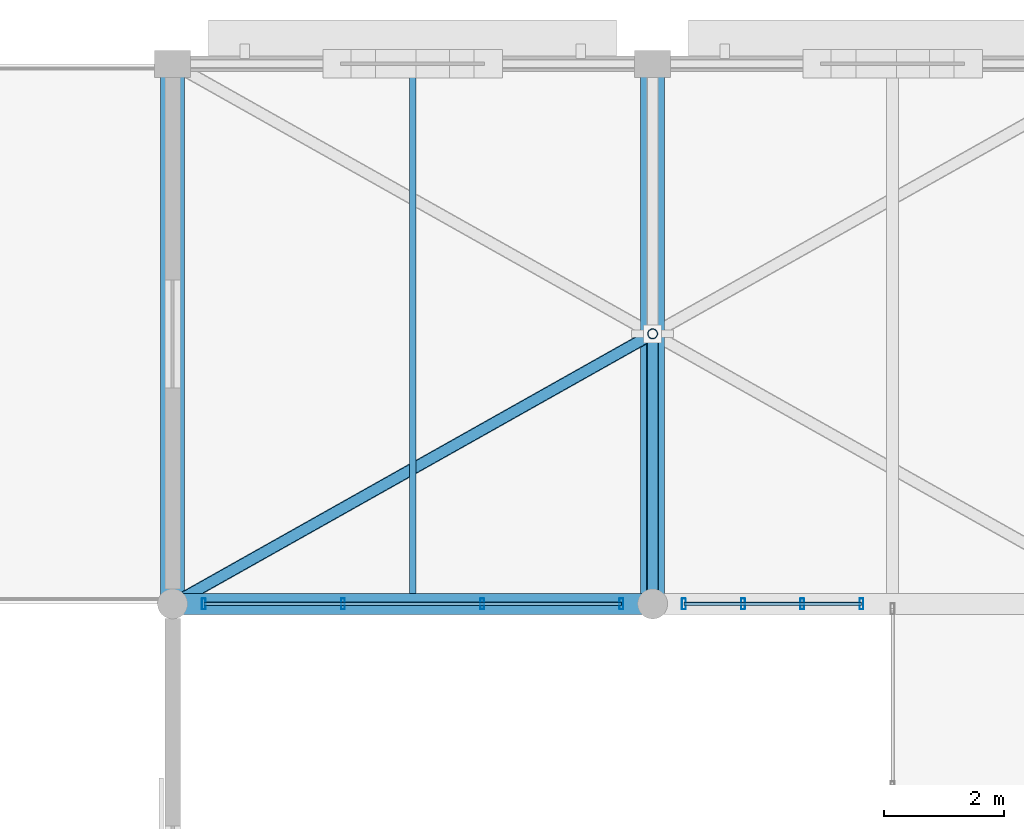
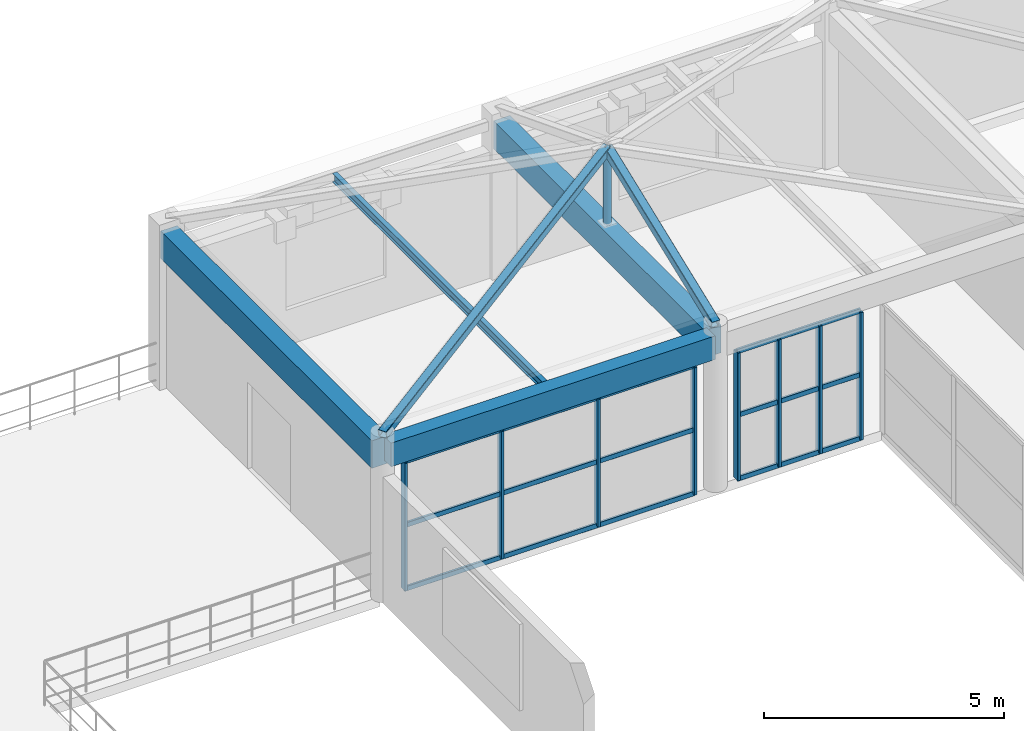
# One storey, part 33 of 63: 17 members, 4 beams, 2 elements without a shape of their own.
"""IFC4 building model written with IfcOpenShell, lengths in metres."""

import ifcopenshell
import ifcopenshell.guid

model = None  # the IFC model being written
_history = None  # IfcOwnerHistory: only IFC2X3 demands one
_inside = {}  # id of a spatial element -> (the spatial element, [elements in it])
_under = {}  # id of a project, library or spatial element -> (it, [spatial elements below it])
_declared = {}  # id of a project -> (the project, [libraries it declares])
_typed = {}  # id of a type object -> (the type object, [elements of that type])
_made_of = {}  # id of a material, layer set ... -> (it, [elements and type objects made of it])


def new_model(schema):
    """Start an empty IFC model of exactly this schema.

    Asked for "IFC4X3", IfcOpenShell would pick the latest addendum, in which some entities
    have other attributes; the version numbers below select the first issue.
    IFC2X3 requires an IfcOwnerHistory on every rooted entity: one is made here for all.
    """
    global model, _history
    if schema == "IFC4X3":
        model = ifcopenshell.file(schema_version=(4, 3, 0, 0))
    else:
        model = ifcopenshell.file(schema=schema)
    _inside.clear()
    _under.clear()
    _declared.clear()
    _typed.clear()
    _made_of.clear()
    _history = None
    if model.schema == "IFC2X3":
        org = make("IfcOrganization", Name="unknown")
        user = make(
            "IfcPersonAndOrganization",
            ThePerson=make("IfcPerson", FamilyName="unknown"),
            TheOrganization=org,
        )
        app = make(
            "IfcApplication",
            ApplicationDeveloper=org,
            Version="unknown",
            ApplicationFullName="unknown",
            ApplicationIdentifier="unknown",
        )
        _history = make(
            "IfcOwnerHistory",
            OwningUser=user,
            OwningApplication=app,
            ChangeAction="ADDED",
            CreationDate=0,
        )
    return model


def make(cls, **values):
    """One entity of the class cls with the attributes given. An attribute that is None is left unset."""
    return model.create_entity(
        cls, **{name: value for name, value in values.items() if value is not None}
    )


def rooted(cls, **values):
    """An entity with a GlobalId (a new one), such as an element, a storey or a relation."""
    return make(cls, GlobalId=ifcopenshell.guid.new(), OwnerHistory=_history, **values)


def si_unit(unit_type, name, prefix=None):
    """IfcSIUnit, for example si_unit("LENGTHUNIT", "METRE", prefix="MILLI")."""
    return make("IfcSIUnit", UnitType=unit_type, Prefix=prefix, Name=name)


def assignment(units):
    """IfcUnitAssignment: the units of a project."""
    return None if units is None else make("IfcUnitAssignment", Units=units)


def point(xyz):
    """IfcCartesianPoint."""
    return None if xyz is None else make("IfcCartesianPoint", Coordinates=xyz)


def direction(xyz):
    """IfcDirection."""
    return None if xyz is None else make("IfcDirection", DirectionRatios=xyz)


def frame(location, z_axis=None, x_axis=None):
    """IfcAxis2Placement3D, a coordinate frame: its origin and axes. An axis left out is left unset."""
    return make(
        "IfcAxis2Placement3D",
        Location=point(location),
        Axis=direction(z_axis),
        RefDirection=direction(x_axis),
    )


def frame_2d(location, x_axis=None):
    """IfcAxis2Placement2D, a coordinate frame in the plane: its origin and x axis."""
    return make(
        "IfcAxis2Placement2D", Location=point(location), RefDirection=direction(x_axis)
    )


def origin():
    """The frame at (0, 0, 0) with its axes left unset."""
    return frame((0.0, 0.0, 0.0))


def origin_2d():
    """The frame at (0, 0) in the plane with its x axis left unset."""
    return frame_2d((0.0, 0.0))


def place(relative_to, where):
    """IfcLocalPlacement: puts the frame where relative to a parent placement (None: the world)."""
    return make(
        "IfcLocalPlacement", PlacementRelTo=relative_to, RelativePlacement=where
    )


def context(
    kind, dimensions, precision=None, world=None, true_north=None, identifier=None
):
    """IfcGeometricRepresentationContext, for example the 3D "Model" context."""
    return make(
        "IfcGeometricRepresentationContext",
        ContextIdentifier=identifier,
        ContextType=kind,
        CoordinateSpaceDimension=dimensions,
        Precision=precision,
        WorldCoordinateSystem=world,
        TrueNorth=true_north,
    )


def subcontext(parent, identifier, kind, view, scale=None):
    """IfcGeometricRepresentationSubContext, for example "Body" below "Model"."""
    return make(
        "IfcGeometricRepresentationSubContext",
        ContextIdentifier=identifier,
        ContextType=kind,
        ParentContext=parent,
        TargetScale=scale,
        TargetView=view,
    )


def project(units=None, contexts=None):
    """IfcProject with its units and contexts."""
    return rooted(
        "IfcProject",
        Name="project",
        RepresentationContexts=contexts,
        UnitsInContext=assignment(units),
    )


def spatial(cls, under=None, at=None, **own):
    """A site, building, storey or space (cls), placed at a placement, below another one or the project."""
    s = rooted(cls, ObjectPlacement=at, **own)
    if under is not None:
        _under.setdefault(under.id(), (under, []))[1].append(s)
    return s


def profile(cls, at=None, kind="AREA", **sizes):
    """A parametric profile (cls). Its sizes go by their IFC names, for example OverallWidth=200.0."""
    return make(cls, ProfileType=kind, Position=at, **sizes)


def rectangle(**sizes):
    """IfcRectangleProfileDef."""
    return profile("IfcRectangleProfileDef", **sizes)


def hollow_rectangle(**sizes):
    """IfcRectangleHollowProfileDef."""
    return profile("IfcRectangleHollowProfileDef", **sizes)


def hollow_circle(**sizes):
    """IfcCircleHollowProfileDef."""
    return profile("IfcCircleHollowProfileDef", **sizes)


def i_section(**sizes):
    """IfcIShapeProfileDef."""
    return profile("IfcIShapeProfileDef", **sizes)


def extrude(swept, where, along, depth):
    """IfcExtrudedAreaSolid: the profile swept, set in the frame where, extruded along a direction by depth."""
    return make(
        "IfcExtrudedAreaSolid",
        SweptArea=swept,
        Position=where,
        ExtrudedDirection=direction(along),
        Depth=depth,
    )


def shape(context_of_items, identifier, shape_type, items):
    """IfcShapeRepresentation: the items that make up one representation, for example the "Body"."""
    return make(
        "IfcShapeRepresentation",
        ContextOfItems=context_of_items,
        RepresentationIdentifier=identifier,
        RepresentationType=shape_type,
        Items=items,
    )


def material(Name=None, Category=None):
    """IfcMaterial."""
    return make("IfcMaterial", Name=Name, Category=Category)


def material_profile(
    of_material, cross_section, Name=None, Category=None, Priority=None
):
    """IfcMaterialProfile: a cross section and its material."""
    return make(
        "IfcMaterialProfile",
        Name=Name,
        Material=of_material,
        Profile=cross_section,
        Priority=Priority,
        Category=Category,
    )


def profile_set(profiles, Name=None, composite=None):
    """IfcMaterialProfileSet."""
    return make(
        "IfcMaterialProfileSet",
        Name=Name,
        MaterialProfiles=profiles,
        CompositeProfile=composite,
    )


def made_of(thing, what):
    """Note that an element or type object is made of a material, layer set ...; save() writes the relation."""
    if what is not None:
        _made_of.setdefault(what.id(), (what, []))[1].append(thing)
    return thing


def type_object(cls, material=None, **own):
    """A type object (cls), such as IfcWallType, which elements share."""
    return made_of(rooted(cls, **own), material)


def element(
    cls,
    number,
    at=None,
    inside=None,
    cuts=None,
    type_object=None,
    material=None,
    context=None,
    identifier="Body",
    shape_type=None,
    held_by="IfcProductDefinitionShape",
    body=None,
    shapes=None,
    **own,
):
    """One element of the class cls, such as IfcWall. Its Tag is "e" and its number.

    at: its placement. inside: the storey or other place that contains it. cuts: it is an
    opening in that element (IfcRelVoidsElement). A single representation is given by context,
    identifier, shape_type and body (its items); several are given by shapes. held_by: the class
    of the entity that holds the representations. save() writes the other relations.
    """
    e = rooted(cls, Tag="e%d" % number, ObjectPlacement=at, **own)
    if body is not None:
        shapes = [shape(context, identifier, shape_type, body)]
    if shapes is not None:
        e.Representation = make(held_by, Representations=shapes)
    if inside is not None:
        _inside.setdefault(inside.id(), (inside, []))[1].append(e)
    if cuts is not None:
        rooted(
            "IfcRelVoidsElement", RelatingBuildingElement=cuts, RelatedOpeningElement=e
        )
    if type_object is not None:
        _typed.setdefault(type_object.id(), (type_object, []))[1].append(e)
    return made_of(e, material)


def aggregate(whole, parts):
    """IfcRelAggregates: a whole, such as a stair, and the parts it consists of."""
    return rooted("IfcRelAggregates", RelatingObject=whole, RelatedObjects=parts)


def save(model, path):
    """Write the relations noted so far, then the file.

    IfcRelAggregates (storeys below a building ...), IfcRelContainedInSpatialStructure (elements
    in a storey), IfcRelDefinesByType, IfcRelAssociatesMaterial and IfcRelDeclares: one each for
    every whole, place, type object, material and project.
    """
    for whole, parts in _under.values():
        aggregate(whole, parts)
    for where, things in _inside.values():
        rooted(
            "IfcRelContainedInSpatialStructure",
            RelatedElements=things,
            RelatingStructure=where,
        )
    for kind, things in _typed.values():
        rooted("IfcRelDefinesByType", RelatedObjects=things, RelatingType=kind)
    for what, things in _made_of.values():
        rooted("IfcRelAssociatesMaterial", RelatedObjects=things, RelatingMaterial=what)
    for by, libraries in _declared.values():
        rooted("IfcRelDeclares", RelatingContext=by, RelatedDefinitions=libraries)
    model.write(path)


model = new_model("IFC4")

# Units and contexts
model_context = context("Model", 3, precision=1e-05, world=origin(), true_north=direction((0.0, 1.0)))
body_context = subcontext(model_context, "Body", "Model", "MODEL_VIEW")
ifc_project = project(units=[si_unit("LENGTHUNIT", "METRE"), si_unit("AREAUNIT", "SQUARE_METRE"), si_unit("VOLUMEUNIT", "CUBIC_METRE"), si_unit("PLANEANGLEUNIT", "RADIAN"), si_unit("MASSUNIT", "GRAM", prefix="KILO")], contexts=[model_context])

# Site, building, storey
site_placement = place(None, origin())
site = spatial("IfcSite", under=ifc_project, at=site_placement, CompositionType="ELEMENT")
building_placement = place(site_placement, origin())
building = spatial("IfcBuilding", under=site, at=building_placement, Name="Varnabhumi Central Station", CompositionType="ELEMENT")
storey_placement = place(building_placement, frame((0.0, 0.0, 20.39990234375)))
storey = spatial("IfcBuildingStorey", under=building, at=storey_placement, Name="L04", CompositionType="ELEMENT", Elevation=20.39990234375)

# Beams
ifc_material_1 = material(Name="Concrete M40", Category="concrete")
ifc_material_profile_1 = material_profile(ifc_material_1, rectangle(XDim=0.35009765625, YDim=0.60009765625, at=origin_2d()), Name="Concrete M40", Category="concrete")
ifc_profile_set_1 = profile_set([ifc_material_profile_1], Name="Concrete M40")
beam_type_1 = type_object("IfcBeamType", Name="BM-RC-350x600", PredefinedType="BEAM", material=ifc_profile_set_1)
beam_1_placement = place(storey_placement, frame((64.10009765625, 107.0, 3.650146484375), z_axis=(1.0, 0.0, 0.0), x_axis=(0.0, 1.0, 0.0)))
element("IfcBeam", 1, at=beam_1_placement, inside=storey, type_object=beam_type_1, Name="Beam L04-N:9-10", PredefinedType="BEAM", context=body_context, shape_type="SweptSolid", body=[
    extrude(rectangle(XDim=0.35009765625, YDim=0.60009765625, at=origin_2d()), origin(), (0.0, 0.0, 1.0), 7.7998046875),
])
ifc_material_profile_2 = material_profile(ifc_material_1, rectangle(XDim=0.39990234375, YDim=0.699951171875, at=origin_2d()), Name="Concrete M40", Category="concrete")
ifc_profile_set_2 = profile_set([ifc_material_profile_2], Name="Concrete M40")
beam_type_2 = type_object("IfcBeamType", Name="BM-RC-700x400", PredefinedType="BEAM", material=ifc_profile_set_2)
for number, where, z_axis, x_axis, name in (
    (2, (64.0, 107.10009765625, 3.60009765625), (0.0, 1.0, 0.0), (-1.0, 0.0, 0.0), "Beam L04-9:N-P"),
    (3, (72.0, 107.10009765625, 3.60009765625), (0.0, 1.0, 0.0), (-1.0, 0.0, 0.0), "Beam L04-10:N-P"),
):
    element("IfcBeam", number, at=place(storey_placement, frame(where, z_axis=z_axis, x_axis=x_axis)), inside=storey, type_object=beam_type_2, Name=name, PredefinedType="BEAM", context=body_context, shape_type="SweptSolid", body=[
        extrude(rectangle(XDim=0.39990234375, YDim=0.699951171875, at=origin_2d()), origin(), (0.0, 0.0, 1.0), 8.7998046875),
    ])
ifc_material_2 = material(Name="Structural steel E350", Category="steel")
ifc_material_profile_3 = material_profile(ifc_material_2, i_section(OverallWidth=0.110107421875, OverallDepth=0.22509765625, WebThickness=0.006591796875, FlangeThickness=0.01171875, FilletRadius=0.011962890625, at=origin_2d()), Name="Structural steel E350", Category="steel")
ifc_profile_set_3 = profile_set([ifc_material_profile_3], Name="Structural steel E350")
beam_type_3 = type_object("IfcBeamType", Name="BM-STL-ISMB225", PredefinedType="JOIST", material=ifc_profile_set_3)
beam_2_placement = place(storey_placement, frame((68.0, 107.175048828125, 3.837646484375), z_axis=(0.0, 1.0, 0.0), x_axis=(-1.0, 0.0, 0.0)))
element("IfcBeam", 4, at=beam_2_placement, inside=storey, type_object=beam_type_3, Name="Secondary Joist L04-9/10:N-P", PredefinedType="JOIST", context=body_context, shape_type="SweptSolid", body=[
    extrude(i_section(OverallWidth=0.110107421875, OverallDepth=0.22509765625, WebThickness=0.006591796875, FlangeThickness=0.01171875, FilletRadius=0.011962890625, at=origin_2d()), origin(), (0.0, 0.0, 1.0), 8.75),
])

# Curtain wall, members
ifc_material_3 = material(Name="Anodised aluminium 6063-T6", Category="aluminium")
curtain_wall_type = type_object("IfcCurtainWallType", Name="CW-PATIO-LOGGIA-L3", PredefinedType="NOTDEFINED", material=ifc_material_3)
curtain_wall_1_placement = place(storey_placement, origin())
curtain_wall_1 = element("IfcCurtainWall", 5, at=curtain_wall_1_placement, inside=storey, type_object=curtain_wall_type, Name="Curtain Wall CW-NP4N1", PredefinedType="NOTDEFINED")
ifc_material_profile_4 = material_profile(ifc_material_3, hollow_rectangle(XDim=0.06494140625, YDim=0.179931640625, WallThickness=0.00390625, InnerFilletRadius=0.001953125, OuterFilletRadius=0.006103515625, at=origin_2d()), Name="Anodised aluminium 6063-T6", Category="aluminium")
ifc_profile_set_4 = profile_set([ifc_material_profile_4], Name="Anodised aluminium 6063-T6")
member_type_1 = type_object("IfcMemberType", Name="CW-MUL-180", PredefinedType="MULLION", material=ifc_profile_set_4)
member_1_placement = place(storey_placement, frame((64.52001953125, 107.0, 0.0), z_axis=(0.0, 0.0, 1.0), x_axis=(1.0, 0.0, 0.0)))
member_1 = element("IfcMember", 6, at=member_1_placement, type_object=member_type_1, Name="Curtain Wall Mullion CW-NP4N1-M1", PredefinedType="MULLION", context=body_context, shape_type="SweptSolid", body=[
    extrude(hollow_rectangle(XDim=0.06494140625, YDim=0.179931640625, WallThickness=0.00390625, InnerFilletRadius=0.001953125, OuterFilletRadius=0.006103515625, at=origin_2d()), origin(), (0.0, 0.0, 1.0), 3.239990234375),
])
member_2_placement = place(storey_placement, frame((66.840087890625, 107.0, 0.0), z_axis=(0.0, 0.0, 1.0), x_axis=(1.0, 0.0, 0.0)))
member_2 = element("IfcMember", 7, at=member_2_placement, type_object=member_type_1, Name="Curtain Wall Mullion CW-NP4N1-M2", PredefinedType="MULLION", context=body_context, shape_type="SweptSolid", body=[
    extrude(hollow_rectangle(XDim=0.06494140625, YDim=0.179931640625, WallThickness=0.00390625, InnerFilletRadius=0.001953125, OuterFilletRadius=0.006103515625, at=origin_2d()), origin(), (0.0, 0.0, 1.0), 3.239990234375),
])
member_3_placement = place(storey_placement, frame((69.159912109375, 107.0, 0.0), z_axis=(0.0, 0.0, 1.0), x_axis=(1.0, 0.0, 0.0)))
member_3 = element("IfcMember", 8, at=member_3_placement, type_object=member_type_1, Name="Curtain Wall Mullion CW-NP4N1-M3", PredefinedType="MULLION", context=body_context, shape_type="SweptSolid", body=[
    extrude(hollow_rectangle(XDim=0.06494140625, YDim=0.179931640625, WallThickness=0.00390625, InnerFilletRadius=0.001953125, OuterFilletRadius=0.006103515625, at=origin_2d()), origin(), (0.0, 0.0, 1.0), 3.239990234375),
])
member_4_placement = place(storey_placement, frame((71.47998046875, 107.0, 0.0), z_axis=(0.0, 0.0, 1.0), x_axis=(1.0, 0.0, 0.0)))
member_4 = element("IfcMember", 9, at=member_4_placement, type_object=member_type_1, Name="Curtain Wall Mullion CW-NP4N1-M4", PredefinedType="MULLION", context=body_context, shape_type="SweptSolid", body=[
    extrude(hollow_rectangle(XDim=0.06494140625, YDim=0.179931640625, WallThickness=0.00390625, InnerFilletRadius=0.001953125, OuterFilletRadius=0.006103515625, at=origin_2d()), origin(), (0.0, 0.0, 1.0), 3.239990234375),
])

curtain_wall_2_placement = place(storey_placement, origin())
curtain_wall_2 = element("IfcCurtainWall", 10, at=curtain_wall_2_placement, inside=storey, type_object=curtain_wall_type, Name="Curtain Wall CW-NP4N2", PredefinedType="NOTDEFINED")
member_5_placement = place(storey_placement, frame((72.52001953125, 107.0, 0.0), z_axis=(0.0, 0.0, 1.0), x_axis=(1.0, 0.0, 0.0)))
member_5 = element("IfcMember", 11, at=member_5_placement, type_object=member_type_1, Name="Curtain Wall Mullion CW-NP4N2-M1", PredefinedType="MULLION", context=body_context, shape_type="SweptSolid", body=[
    extrude(hollow_rectangle(XDim=0.06494140625, YDim=0.179931640625, WallThickness=0.00390625, InnerFilletRadius=0.001953125, OuterFilletRadius=0.006103515625, at=origin_2d()), origin(), (0.0, 0.0, 1.0), 3.239990234375),
])
member_6_placement = place(storey_placement, frame((73.506591796875, 107.0, 0.0), z_axis=(0.0, 0.0, 1.0), x_axis=(1.0, 0.0, 0.0)))
member_6 = element("IfcMember", 12, at=member_6_placement, type_object=member_type_1, Name="Curtain Wall Mullion CW-NP4N2-M2", PredefinedType="MULLION", context=body_context, shape_type="SweptSolid", body=[
    extrude(hollow_rectangle(XDim=0.06494140625, YDim=0.179931640625, WallThickness=0.00390625, InnerFilletRadius=0.001953125, OuterFilletRadius=0.006103515625, at=origin_2d()), origin(), (0.0, 0.0, 1.0), 3.239990234375),
])
member_7_placement = place(storey_placement, frame((74.493408203125, 107.0, 0.0), z_axis=(0.0, 0.0, 1.0), x_axis=(1.0, 0.0, 0.0)))
member_7 = element("IfcMember", 13, at=member_7_placement, type_object=member_type_1, Name="Curtain Wall Mullion CW-NP4N2-M3", PredefinedType="MULLION", context=body_context, shape_type="SweptSolid", body=[
    extrude(hollow_rectangle(XDim=0.06494140625, YDim=0.179931640625, WallThickness=0.00390625, InnerFilletRadius=0.001953125, OuterFilletRadius=0.006103515625, at=origin_2d()), origin(), (0.0, 0.0, 1.0), 3.239990234375),
])
member_8_placement = place(storey_placement, frame((75.47998046875, 107.0, 0.0), z_axis=(0.0, 0.0, 1.0), x_axis=(1.0, 0.0, 0.0)))
member_8 = element("IfcMember", 14, at=member_8_placement, type_object=member_type_1, Name="Curtain Wall Mullion CW-NP4N2-M4", PredefinedType="MULLION", context=body_context, shape_type="SweptSolid", body=[
    extrude(hollow_rectangle(XDim=0.06494140625, YDim=0.179931640625, WallThickness=0.00390625, InnerFilletRadius=0.001953125, OuterFilletRadius=0.006103515625, at=origin_2d()), origin(), (0.0, 0.0, 1.0), 3.239990234375),
])

# Member
ifc_material_profile_5 = material_profile(ifc_material_3, hollow_rectangle(XDim=0.054931640625, YDim=0.1201171875, WallThickness=0.00341796875, InnerFilletRadius=0.00146484375, OuterFilletRadius=0.0048828125, at=origin_2d()), Name="Anodised aluminium 6063-T6", Category="aluminium")
ifc_profile_set_5 = profile_set([ifc_material_profile_5], Name="Anodised aluminium 6063-T6")
member_type_2 = type_object("IfcMemberType", Name="CW-TR-120", PredefinedType="USERDEFINED", material=ifc_profile_set_5)
member_9_placement = place(storey_placement, frame((64.52001953125, 107.0, 0.0), z_axis=(1.0, 0.0, 0.0), x_axis=(0.0, 1.0, 0.0)))
member_9 = element("IfcMember", 15, at=member_9_placement, type_object=member_type_2, Name="Curtain Wall Transom CW-NP4N1-T1", ObjectType="TRANSOM", PredefinedType="USERDEFINED", context=body_context, shape_type="SweptSolid", body=[
    extrude(hollow_rectangle(XDim=0.054931640625, YDim=0.1201171875, WallThickness=0.00341796875, InnerFilletRadius=0.00146484375, OuterFilletRadius=0.0048828125, at=origin_2d()), origin(), (0.0, 0.0, 1.0), 6.9599609375),
])

member_10_placement = place(storey_placement, frame((64.52001953125, 107.0, 1.6201171875), z_axis=(1.0, 0.0, 0.0), x_axis=(0.0, 1.0, 0.0)))
member_10 = element("IfcMember", 16, at=member_10_placement, type_object=member_type_2, Name="Curtain Wall Transom CW-NP4N1-T2", ObjectType="TRANSOM", PredefinedType="USERDEFINED", context=body_context, shape_type="SweptSolid", body=[
    extrude(hollow_rectangle(XDim=0.054931640625, YDim=0.1201171875, WallThickness=0.00341796875, InnerFilletRadius=0.00146484375, OuterFilletRadius=0.0048828125, at=origin_2d()), origin(), (0.0, 0.0, 1.0), 6.9599609375),
])

member_11_placement = place(storey_placement, frame((64.52001953125, 107.0, 3.239990234375), z_axis=(1.0, 0.0, 0.0), x_axis=(0.0, 1.0, 0.0)))
member_11 = element("IfcMember", 17, at=member_11_placement, type_object=member_type_2, Name="Curtain Wall Transom CW-NP4N1-T3", ObjectType="TRANSOM", PredefinedType="USERDEFINED", context=body_context, shape_type="SweptSolid", body=[
    extrude(hollow_rectangle(XDim=0.054931640625, YDim=0.1201171875, WallThickness=0.00341796875, InnerFilletRadius=0.00146484375, OuterFilletRadius=0.0048828125, at=origin_2d()), origin(), (0.0, 0.0, 1.0), 6.9599609375),
])

aggregate(curtain_wall_1, [member_1, member_2, member_3, member_4, member_9, member_10, member_11])

member_12_placement = place(storey_placement, frame((72.52001953125, 107.0, 0.0), z_axis=(1.0, 0.0, 0.0), x_axis=(0.0, 1.0, 0.0)))
member_12 = element("IfcMember", 18, at=member_12_placement, type_object=member_type_2, Name="Curtain Wall Transom CW-NP4N2-T1", ObjectType="TRANSOM", PredefinedType="USERDEFINED", context=body_context, shape_type="SweptSolid", body=[
    extrude(hollow_rectangle(XDim=0.054931640625, YDim=0.1201171875, WallThickness=0.00341796875, InnerFilletRadius=0.00146484375, OuterFilletRadius=0.0048828125, at=origin_2d()), origin(), (0.0, 0.0, 1.0), 2.9599609375),
])

member_13_placement = place(storey_placement, frame((72.52001953125, 107.0, 1.6201171875), z_axis=(1.0, 0.0, 0.0), x_axis=(0.0, 1.0, 0.0)))
member_13 = element("IfcMember", 19, at=member_13_placement, type_object=member_type_2, Name="Curtain Wall Transom CW-NP4N2-T2", ObjectType="TRANSOM", PredefinedType="USERDEFINED", context=body_context, shape_type="SweptSolid", body=[
    extrude(hollow_rectangle(XDim=0.054931640625, YDim=0.1201171875, WallThickness=0.00341796875, InnerFilletRadius=0.00146484375, OuterFilletRadius=0.0048828125, at=origin_2d()), origin(), (0.0, 0.0, 1.0), 2.9599609375),
])

member_14_placement = place(storey_placement, frame((72.52001953125, 107.0, 3.239990234375), z_axis=(1.0, 0.0, 0.0), x_axis=(0.0, 1.0, 0.0)))
member_14 = element("IfcMember", 20, at=member_14_placement, type_object=member_type_2, Name="Curtain Wall Transom CW-NP4N2-T3", ObjectType="TRANSOM", PredefinedType="USERDEFINED", context=body_context, shape_type="SweptSolid", body=[
    extrude(hollow_rectangle(XDim=0.054931640625, YDim=0.1201171875, WallThickness=0.00341796875, InnerFilletRadius=0.00146484375, OuterFilletRadius=0.0048828125, at=origin_2d()), origin(), (0.0, 0.0, 1.0), 2.9599609375),
])

aggregate(curtain_wall_2, [member_5, member_6, member_7, member_8, member_12, member_13, member_14])

# Members
ifc_material_profile_6 = material_profile(ifc_material_2, hollow_rectangle(XDim=0.199951171875, YDim=0.199951171875, WallThickness=0.010009765625, InnerFilletRadius=0.010009765625, OuterFilletRadius=0.02001953125, at=origin_2d()), Name="Structural steel E350", Category="steel")
ifc_profile_set_6 = profile_set([ifc_material_profile_6], Name="Structural steel E350")
member_type_3 = type_object("IfcMemberType", Name="MBR-RAFT-SHS200", PredefinedType="RAFTER", material=ifc_profile_set_6)
member_15_placement = place(storey_placement, frame((64.0, 107.0, 4.110107421875), z_axis=(0.856153773676, 0.481586497693, 0.187283637992), x_axis=(-0.490261239633, 0.871575537125, 0.0)))
element("IfcMember", 21, at=member_15_placement, inside=storey, type_object=member_type_3, Name="Mission Roof Hip Rafter NBP5N-ES", PredefinedType="RAFTER", context=body_context, shape_type="SweptSolid", body=[
    extrude(hollow_rectangle(XDim=0.199951171875, YDim=0.199951171875, WallThickness=0.010009765625, InnerFilletRadius=0.010009765625, OuterFilletRadius=0.02001953125, at=origin_2d()), origin(), (0.0, 0.0, 1.0), 9.343994140625),
])
member_16_placement = place(storey_placement, frame((72.0, 107.0, 4.110107421875), z_axis=(0.0, 0.932004671541, 0.362446261155), x_axis=(-1.0, 0.0, 0.0)))
element("IfcMember", 22, at=member_16_placement, inside=storey, type_object=member_type_3, Name="Mission Roof South Rafter NBP5N-2", PredefinedType="RAFTER", context=body_context, shape_type="SweptSolid", body=[
    extrude(hollow_rectangle(XDim=0.199951171875, YDim=0.199951171875, WallThickness=0.010009765625, InnerFilletRadius=0.010009765625, OuterFilletRadius=0.02001953125, at=origin_2d()), origin(), (0.0, 0.0, 1.0), 4.828369140625),
])
ifc_material_profile_7 = material_profile(ifc_material_2, hollow_circle(Radius=0.084228515625, WallThickness=0.008056640625, at=origin_2d()), Name="Structural steel E350", Category="steel")
ifc_profile_set_7 = profile_set([ifc_material_profile_7], Name="Structural steel E350")
member_type_4 = type_object("IfcMemberType", Name="MBR-STRUT-CHS168", PredefinedType="STRUT", material=ifc_profile_set_7)
member_17_placement = place(storey_placement, frame((72.0, 111.5, 3.9501953125), z_axis=(0.0, 0.0, 1.0), x_axis=(1.0, 0.0, 0.0)))
element("IfcMember", 23, at=member_17_placement, inside=storey, type_object=member_type_4, Name="Mission Roof King Strut NBP5N-2", PredefinedType="STRUT", context=body_context, shape_type="SweptSolid", body=[
    extrude(hollow_circle(Radius=0.084228515625, WallThickness=0.008056640625, at=origin_2d()), origin(), (0.0, 0.0, 1.0), 1.8798828125),
])

save(model, "model.ifc")
